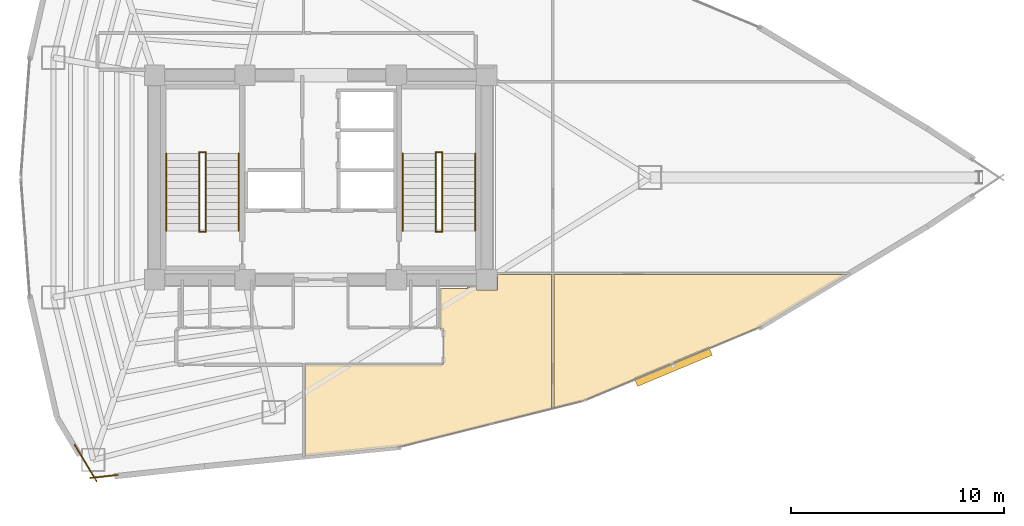
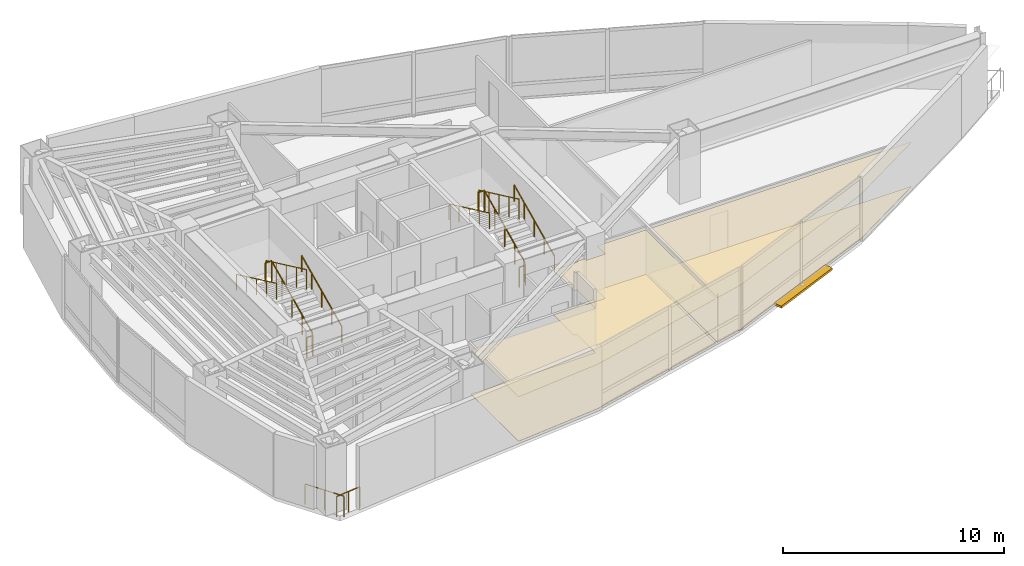
# One storey, part 16 of 17: 14 railings, 4 coverings, 1 shading device.
"""IFC4 building model written with IfcOpenShell, lengths in metres."""

from ifc_helpers import new_model, si_unit, direction, frame, origin, origin_2d, place, context, subcontext, project, spatial, polyline, rectangle, circle, outline, extrude, material, layer, layer_set, type_object, element, save


model = new_model("IFC4")

# Units and contexts
model_context = context("Model", 3, precision=1e-05, world=origin(), true_north=direction((0.0, 1.0)))
body_context = subcontext(model_context, "Body", "Model", "MODEL_VIEW")
ifc_project = project(units=[si_unit("LENGTHUNIT", "METRE"), si_unit("AREAUNIT", "SQUARE_METRE"), si_unit("VOLUMEUNIT", "CUBIC_METRE"), si_unit("PLANEANGLEUNIT", "RADIAN"), si_unit("MASSUNIT", "GRAM", prefix="KILO")], contexts=[model_context])

# Site, building, storey
site_placement = place(None, origin())
site = spatial("IfcSite", under=ifc_project, at=site_placement, CompositionType="ELEMENT")
building_placement = place(site_placement, origin())
building = spatial("IfcBuilding", under=site, at=building_placement, Name="Menara Vayukalpa", CompositionType="ELEMENT")
storey_placement = place(building_placement, frame((0.0, 0.0, 154.320068359375)))
storey = spatial("IfcBuildingStorey", under=building, at=storey_placement, Name="L38", CompositionType="ELEMENT", Elevation=154.320068359375)

# Coverings
ifc_material_1 = material(Name="Mineral Fibre Acoustic Ceiling Tile", Category="masonry")
ifc_layer_1 = layer(ifc_material_1, 0.02490234375)
ifc_layer_set_1 = layer_set([ifc_layer_1], Name="Mineral Fibre Acoustic Ceiling Tile")
covering_type_1 = type_object("IfcCoveringType", Name="COV-CLG1", PredefinedType="CEILING", material=ifc_layer_set_1)
covering_1_placement = place(storey_placement, frame((0.0, 0.0, 2.449951171875)))
element("IfcCovering", 1, at=covering_1_placement, inside=storey, type_object=covering_type_1, Name="L38 Departmental Archive Room Acoustic Ceiling", PredefinedType="CEILING", context=body_context, shape_type="SweptSolid", body=[
    extrude(outline(polyline([(24.87109375, 8.915771484375), (24.8701171875, 8.915771484375), (24.868896484375, 8.915771484375), (24.8681640625, 8.916015625), (24.8671875, 8.916259765625), (24.8662109375, 8.91650390625), (24.865234375, 8.9169921875), (24.864501953125, 8.91748046875), (24.86376953125, 8.918212890625), (24.86279296875, 8.918701171875), (24.8623046875, 8.91943359375), (24.86181640625, 8.920166015625), (24.861083984375, 8.921142578125), (24.86083984375, 8.922119140625), (24.8603515625, 8.9228515625), (24.860107421875, 8.923828125), (24.860107421875, 8.9248046875), (24.860107421875, 8.92578125), (24.860107421875, 13.2099609375), (24.860107421875, 13.2109375), (24.860107421875, 13.2119140625), (24.8603515625, 13.212890625), (24.86083984375, 13.2138671875), (24.861083984375, 13.214599609375), (24.86181640625, 13.215576171875), (24.8623046875, 13.21630859375), (24.86279296875, 13.217041015625), (24.86376953125, 13.2177734375), (24.864501953125, 13.21826171875), (24.865234375, 13.21875), (24.8662109375, 13.21923828125), (24.8671875, 13.219482421875), (24.867919921875, 13.2197265625), (24.868896484375, 13.219970703125), (24.8701171875, 13.219970703125), (31.2998046875, 13.219970703125), (31.306884765625, 13.220458984375), (31.313720703125, 13.22119140625), (31.3203125, 13.222900390625), (31.326904296875, 13.225341796875), (31.3330078125, 13.228271484375), (31.3388671875, 13.231689453125), (31.344482421875, 13.236083984375), (31.349609375, 13.240478515625), (31.35400390625, 13.24560546875), (31.358154296875, 13.251220703125), (31.36181640625, 13.257080078125), (31.36474609375, 13.26318359375), (31.366943359375, 13.269775390625), (31.36865234375, 13.2763671875), (31.36962890625, 13.283203125), (31.3701171875, 13.290283203125), (31.3701171875, 14.849609375), (31.36962890625, 14.856689453125), (31.36865234375, 14.86376953125), (31.366943359375, 14.870361328125), (31.36474609375, 14.876708984375), (31.36181640625, 14.883056640625), (31.358154296875, 14.888916015625), (31.35400390625, 14.89453125), (31.349609375, 14.8994140625), (31.344482421875, 14.904052734375), (31.3388671875, 14.908203125), (31.3330078125, 14.911865234375), (31.326904296875, 14.914794921875), (31.3203125, 14.9169921875), (31.313720703125, 14.918701171875), (31.306884765625, 14.919677734375), (31.2998046875, 14.919921875), (31.219970703125, 14.919921875), (31.218994140625, 14.919921875), (31.218017578125, 14.920166015625), (31.217041015625, 14.92041015625), (31.21630859375, 14.9208984375), (31.21533203125, 14.921142578125), (31.21435546875, 14.921630859375), (31.213623046875, 14.92236328125), (31.212890625, 14.9228515625), (31.21240234375, 14.923583984375), (31.211669921875, 14.92431640625), (31.211181640625, 14.92529296875), (31.210693359375, 14.92626953125), (31.21044921875, 14.927001953125), (31.210205078125, 14.927978515625), (31.2099609375, 14.928955078125), (31.2099609375, 14.929931640625), (31.2099609375, 16.780029296875), (31.2099609375, 16.781005859375), (31.210205078125, 16.781982421875), (31.21044921875, 16.782958984375), (31.210693359375, 16.78369140625), (31.211181640625, 16.78466796875), (31.211669921875, 16.78564453125), (31.21240234375, 16.786376953125), (31.212890625, 16.787109375), (31.213623046875, 16.78759765625), (31.21435546875, 16.788330078125), (31.21533203125, 16.788818359375), (31.21630859375, 16.789306640625), (31.217041015625, 16.78955078125), (31.218017578125, 16.789794921875), (31.218994140625, 16.7900390625), (31.219970703125, 16.7900390625), (32.489990234375, 16.7900390625), (32.489990234375, 16.85009765625), (32.909912109375, 16.85009765625), (32.909912109375, 16.7099609375), (33.889892578125, 16.7099609375), (33.889892578125, 17.43994140625), (36.429931640625, 17.43994140625), (36.430908203125, 17.43994140625), (36.431884765625, 17.439697265625), (36.432861328125, 17.439697265625), (36.433837890625, 17.439208984375), (36.434814453125, 17.438720703125), (36.435546875, 17.438232421875), (36.436279296875, 17.437744140625), (36.43701171875, 17.43701171875), (36.437744140625, 17.436279296875), (36.438232421875, 17.435546875), (36.438720703125, 17.434814453125), (36.439208984375, 17.433837890625), (36.439697265625, 17.432861328125), (36.439697265625, 17.431884765625), (36.43994140625, 17.430908203125), (36.43994140625, 17.429931640625), (36.43994140625, 11.1591796875), (36.43994140625, 11.158203125), (36.439697265625, 11.156982421875), (36.439453125, 11.156005859375), (36.439208984375, 11.155029296875), (36.438720703125, 11.154296875), (36.438232421875, 11.1533203125), (36.4375, 11.152587890625), (36.43701171875, 11.15185546875), (36.43603515625, 11.151123046875), (36.435302734375, 11.150634765625), (36.434326171875, 11.150146484375), (36.433349609375, 11.149658203125), (36.432373046875, 11.1494140625), (29.2646484375, 9.35302734375), (29.26318359375, 9.352783203125), (24.87109375, 8.915771484375)])), origin(), (0.0, 0.0, 1.0), 0.02490234375),
])
covering_2_placement = place(storey_placement, frame((0.0, 0.0, 2.449951171875)))
element("IfcCovering", 2, at=covering_2_placement, inside=storey, type_object=covering_type_1, Name="L38 Departmental Archive Room Acoustic Ceiling", PredefinedType="CEILING", context=body_context, shape_type="SweptSolid", body=[
    extrude(outline(polyline([(37.95849609375, 11.531982421875), (37.957763671875, 11.53173828125), (36.572509765625, 11.1845703125), (36.571533203125, 11.184326171875), (36.570556640625, 11.18408203125), (36.569580078125, 11.18408203125), (36.568603515625, 11.184326171875), (36.567626953125, 11.1845703125), (36.56689453125, 11.184814453125), (36.56591796875, 11.18505859375), (36.56494140625, 11.185546875), (36.564208984375, 11.18603515625), (36.5634765625, 11.1865234375), (36.562744140625, 11.187255859375), (36.562255859375, 11.18798828125), (36.5615234375, 11.188720703125), (36.56103515625, 11.189697265625), (36.560791015625, 11.1904296875), (36.560302734375, 11.19140625), (36.560302734375, 11.1923828125), (36.56005859375, 11.193115234375), (36.56005859375, 11.194091796875), (36.56005859375, 17.429931640625), (36.56005859375, 17.430908203125), (36.560302734375, 17.431884765625), (36.560302734375, 17.432861328125), (36.560791015625, 17.433837890625), (36.561279296875, 17.434814453125), (36.561767578125, 17.435546875), (36.562255859375, 17.436279296875), (36.56298828125, 17.43701171875), (36.563720703125, 17.437744140625), (36.564453125, 17.438232421875), (36.565185546875, 17.438720703125), (36.566162109375, 17.439208984375), (36.567138671875, 17.439697265625), (36.568115234375, 17.439697265625), (36.569091796875, 17.43994140625), (36.570068359375, 17.43994140625), (50.276123046875, 17.43994140625), (50.277099609375, 17.43994140625), (50.2783203125, 17.439697265625), (50.279296875, 17.439697265625), (50.280029296875, 17.439208984375), (50.281005859375, 17.438720703125), (50.28173828125, 17.438232421875), (50.28271484375, 17.4375), (50.283447265625, 17.43701171875), (50.283935546875, 17.436279296875), (50.28466796875, 17.435302734375), (50.28515625, 17.4345703125), (50.285400390625, 17.43359375), (50.285888671875, 17.4326171875), (50.2861328125, 17.431640625), (50.2861328125, 17.4306640625), (50.2861328125, 17.4296875), (50.2861328125, 17.4287109375), (50.285888671875, 17.427734375), (50.28564453125, 17.4267578125), (50.285400390625, 17.42578125), (50.284912109375, 17.425048828125), (50.2841796875, 17.424072265625), (50.28369140625, 17.42333984375), (50.282958984375, 17.422607421875), (50.2822265625, 17.422119140625), (50.281494140625, 17.42138671875), (46.231201171875, 14.98388671875), (46.22998046875, 14.9833984375), (37.959228515625, 11.5322265625), (37.95849609375, 11.531982421875)])), origin(), (0.0, 0.0, 1.0), 0.02490234375),
])
ifc_material_2 = material(Name="Porcelain Stoneware Floor Tile", Category="masonry")
ifc_layer_2 = layer(ifc_material_2, 0.02001953125)
ifc_layer_set_2 = layer_set([ifc_layer_2], Name="Porcelain Stoneware Floor Tile")
covering_type_2 = type_object("IfcCoveringType", Name="COV-FLR1", PredefinedType="FLOORING", material=ifc_layer_set_2)
covering_3_placement = place(storey_placement, origin())
element("IfcCovering", 3, at=covering_3_placement, inside=storey, type_object=covering_type_2, Name="L38 Departmental Archive Room Porcelain Flooring", PredefinedType="FLOORING", context=body_context, shape_type="SweptSolid", body=[
    extrude(outline(polyline([(24.87109375, 8.915771484375), (24.8701171875, 8.915771484375), (24.868896484375, 8.915771484375), (24.8681640625, 8.916015625), (24.8671875, 8.916259765625), (24.8662109375, 8.91650390625), (24.865234375, 8.9169921875), (24.864501953125, 8.91748046875), (24.86376953125, 8.918212890625), (24.86279296875, 8.918701171875), (24.8623046875, 8.91943359375), (24.86181640625, 8.920166015625), (24.861083984375, 8.921142578125), (24.86083984375, 8.922119140625), (24.8603515625, 8.9228515625), (24.860107421875, 8.923828125), (24.860107421875, 8.9248046875), (24.860107421875, 8.92578125), (24.860107421875, 13.2099609375), (24.860107421875, 13.2109375), (24.860107421875, 13.2119140625), (24.8603515625, 13.212890625), (24.86083984375, 13.2138671875), (24.861083984375, 13.214599609375), (24.86181640625, 13.215576171875), (24.8623046875, 13.21630859375), (24.86279296875, 13.217041015625), (24.86376953125, 13.2177734375), (24.864501953125, 13.21826171875), (24.865234375, 13.21875), (24.8662109375, 13.21923828125), (24.8671875, 13.219482421875), (24.867919921875, 13.2197265625), (24.868896484375, 13.219970703125), (24.8701171875, 13.219970703125), (31.2998046875, 13.219970703125), (31.306884765625, 13.220458984375), (31.313720703125, 13.22119140625), (31.3203125, 13.222900390625), (31.326904296875, 13.225341796875), (31.3330078125, 13.228271484375), (31.3388671875, 13.231689453125), (31.344482421875, 13.236083984375), (31.349609375, 13.240478515625), (31.35400390625, 13.24560546875), (31.358154296875, 13.251220703125), (31.36181640625, 13.257080078125), (31.36474609375, 13.26318359375), (31.366943359375, 13.269775390625), (31.36865234375, 13.2763671875), (31.36962890625, 13.283203125), (31.3701171875, 13.290283203125), (31.3701171875, 14.849609375), (31.36962890625, 14.856689453125), (31.36865234375, 14.86376953125), (31.366943359375, 14.870361328125), (31.36474609375, 14.876708984375), (31.36181640625, 14.883056640625), (31.358154296875, 14.888916015625), (31.35400390625, 14.89453125), (31.349609375, 14.8994140625), (31.344482421875, 14.904052734375), (31.3388671875, 14.908203125), (31.3330078125, 14.911865234375), (31.326904296875, 14.914794921875), (31.3203125, 14.9169921875), (31.313720703125, 14.918701171875), (31.306884765625, 14.919677734375), (31.2998046875, 14.919921875), (31.219970703125, 14.919921875), (31.218994140625, 14.919921875), (31.218017578125, 14.920166015625), (31.217041015625, 14.92041015625), (31.21630859375, 14.9208984375), (31.21533203125, 14.921142578125), (31.21435546875, 14.921630859375), (31.213623046875, 14.92236328125), (31.212890625, 14.9228515625), (31.21240234375, 14.923583984375), (31.211669921875, 14.92431640625), (31.211181640625, 14.92529296875), (31.210693359375, 14.92626953125), (31.21044921875, 14.927001953125), (31.210205078125, 14.927978515625), (31.2099609375, 14.928955078125), (31.2099609375, 14.929931640625), (31.2099609375, 16.780029296875), (31.2099609375, 16.781005859375), (31.210205078125, 16.781982421875), (31.21044921875, 16.782958984375), (31.210693359375, 16.78369140625), (31.211181640625, 16.78466796875), (31.211669921875, 16.78564453125), (31.21240234375, 16.786376953125), (31.212890625, 16.787109375), (31.213623046875, 16.78759765625), (31.21435546875, 16.788330078125), (31.21533203125, 16.788818359375), (31.21630859375, 16.789306640625), (31.217041015625, 16.78955078125), (31.218017578125, 16.789794921875), (31.218994140625, 16.7900390625), (31.219970703125, 16.7900390625), (32.489990234375, 16.7900390625), (32.489990234375, 16.85009765625), (32.909912109375, 16.85009765625), (32.909912109375, 16.7099609375), (33.889892578125, 16.7099609375), (33.889892578125, 17.43994140625), (36.429931640625, 17.43994140625), (36.430908203125, 17.43994140625), (36.431884765625, 17.439697265625), (36.432861328125, 17.439697265625), (36.433837890625, 17.439208984375), (36.434814453125, 17.438720703125), (36.435546875, 17.438232421875), (36.436279296875, 17.437744140625), (36.43701171875, 17.43701171875), (36.437744140625, 17.436279296875), (36.438232421875, 17.435546875), (36.438720703125, 17.434814453125), (36.439208984375, 17.433837890625), (36.439697265625, 17.432861328125), (36.439697265625, 17.431884765625), (36.43994140625, 17.430908203125), (36.43994140625, 17.429931640625), (36.43994140625, 11.1591796875), (36.43994140625, 11.158203125), (36.439697265625, 11.156982421875), (36.439453125, 11.156005859375), (36.439208984375, 11.155029296875), (36.438720703125, 11.154296875), (36.438232421875, 11.1533203125), (36.4375, 11.152587890625), (36.43701171875, 11.15185546875), (36.43603515625, 11.151123046875), (36.435302734375, 11.150634765625), (36.434326171875, 11.150146484375), (36.433349609375, 11.149658203125), (36.432373046875, 11.1494140625), (29.2646484375, 9.35302734375), (29.26318359375, 9.352783203125), (24.87109375, 8.915771484375)])), origin(), (0.0, 0.0, 1.0), 0.02001953125),
])
covering_4_placement = place(storey_placement, origin())
element("IfcCovering", 4, at=covering_4_placement, inside=storey, type_object=covering_type_2, Name="L38 Departmental Archive Room Porcelain Flooring", PredefinedType="FLOORING", context=body_context, shape_type="SweptSolid", body=[
    extrude(outline(polyline([(37.95849609375, 11.531982421875), (37.957763671875, 11.53173828125), (36.572509765625, 11.1845703125), (36.571533203125, 11.184326171875), (36.570556640625, 11.18408203125), (36.569580078125, 11.18408203125), (36.568603515625, 11.184326171875), (36.567626953125, 11.1845703125), (36.56689453125, 11.184814453125), (36.56591796875, 11.18505859375), (36.56494140625, 11.185546875), (36.564208984375, 11.18603515625), (36.5634765625, 11.1865234375), (36.562744140625, 11.187255859375), (36.562255859375, 11.18798828125), (36.5615234375, 11.188720703125), (36.56103515625, 11.189697265625), (36.560791015625, 11.1904296875), (36.560302734375, 11.19140625), (36.560302734375, 11.1923828125), (36.56005859375, 11.193115234375), (36.56005859375, 11.194091796875), (36.56005859375, 17.429931640625), (36.56005859375, 17.430908203125), (36.560302734375, 17.431884765625), (36.560302734375, 17.432861328125), (36.560791015625, 17.433837890625), (36.561279296875, 17.434814453125), (36.561767578125, 17.435546875), (36.562255859375, 17.436279296875), (36.56298828125, 17.43701171875), (36.563720703125, 17.437744140625), (36.564453125, 17.438232421875), (36.565185546875, 17.438720703125), (36.566162109375, 17.439208984375), (36.567138671875, 17.439697265625), (36.568115234375, 17.439697265625), (36.569091796875, 17.43994140625), (36.570068359375, 17.43994140625), (50.276123046875, 17.43994140625), (50.277099609375, 17.43994140625), (50.2783203125, 17.439697265625), (50.279296875, 17.439697265625), (50.280029296875, 17.439208984375), (50.281005859375, 17.438720703125), (50.28173828125, 17.438232421875), (50.28271484375, 17.4375), (50.283447265625, 17.43701171875), (50.283935546875, 17.436279296875), (50.28466796875, 17.435302734375), (50.28515625, 17.4345703125), (50.285400390625, 17.43359375), (50.285888671875, 17.4326171875), (50.2861328125, 17.431640625), (50.2861328125, 17.4306640625), (50.2861328125, 17.4296875), (50.2861328125, 17.4287109375), (50.285888671875, 17.427734375), (50.28564453125, 17.4267578125), (50.285400390625, 17.42578125), (50.284912109375, 17.425048828125), (50.2841796875, 17.424072265625), (50.28369140625, 17.42333984375), (50.282958984375, 17.422607421875), (50.2822265625, 17.422119140625), (50.281494140625, 17.42138671875), (46.231201171875, 14.98388671875), (46.22998046875, 14.9833984375), (37.959228515625, 11.5322265625), (37.95849609375, 11.531982421875)])), origin(), (0.0, 0.0, 1.0), 0.02001953125),
])

# Railings
ifc_material_3 = material(Name="Laminated Glass and Stainless Steel 316 Guardrail", Category="steel")
railing_type_1 = type_object("IfcRailingType", Name="RLG-EXT115", PredefinedType="GUARDRAIL", material=ifc_material_3)
railing_1_placement = place(storey_placement, frame((14.04345703125, 9.460205078125, 0.0)))
element("IfcRailing", 5, at=railing_1_placement, inside=storey, type_object=railing_type_1, Name="L38 Column Corner Spandrel Guardrail 13-1", PredefinedType="GUARDRAIL", context=body_context, shape_type="SweptSolid", body=[
    extrude(circle(Radius=0.02392578125, at=origin_2d()), frame((0.0, 0.0, 1.1259765625), z_axis=(0.516238473258, -0.856444883649, 0.0), x_axis=(0.856444883649, 0.516238473258, 0.0)), (0.0, 0.0, 1.0), 1.9970703125),
    extrude(circle(Radius=0.02099609375, at=origin_2d()), origin(), (0.0, 0.0, 1.0), 1.101806640625),
    extrude(circle(Radius=0.02099609375, at=origin_2d()), frame((0.515625, -0.855224609375, 0.0)), (0.0, 0.0, 1.0), 1.101806640625),
    extrude(circle(Radius=0.02099609375, at=origin_2d()), frame((1.031005859375, -1.71044921875, 0.0)), (0.0, 0.0, 1.0), 1.101806640625),
])
railing_2_placement = place(storey_placement, frame((14.784423828125, 7.89306640625, 0.0)))
element("IfcRailing", 6, at=railing_2_placement, inside=storey, type_object=railing_type_1, Name="L38 Column Corner Spandrel Guardrail 14-1", PredefinedType="GUARDRAIL", context=body_context, shape_type="SweptSolid", body=[
    extrude(circle(Radius=0.02392578125, at=origin_2d()), frame((0.0, 0.0, 1.1259765625), z_axis=(0.99393179446, 0.109998127083, 0.0), x_axis=(-0.109998127083, 0.99393179446, 0.0)), (0.0, 0.0, 1.0), 1.29833984375),
    extrude(circle(Radius=0.02099609375, at=origin_2d()), origin(), (0.0, 0.0, 1.0), 1.101806640625),
    extrude(circle(Radius=0.02099609375, at=origin_2d()), frame((0.645263671875, 0.0712890625, 0.0)), (0.0, 0.0, 1.0), 1.101806640625),
    extrude(circle(Radius=0.02099609375, at=origin_2d()), frame((1.29052734375, 0.142822265625, 0.0)), (0.0, 0.0, 1.0), 1.101806640625),
])
ifc_material_4 = material(Name="Powder-Coated Galvanised Steel Guardrail", Category="steel")
railing_type_2 = type_object("IfcRailingType", Name="RLG-STG110", PredefinedType="GUARDRAIL", material=ifc_material_4)
railing_3_placement = place(storey_placement, frame((20.199951171875, 19.5, 0.155029296875)))
element("IfcRailing", 7, at=railing_3_placement, inside=storey, type_object=railing_type_2, Name="L38 ST-1 stair guard 1", PredefinedType="GUARDRAIL", context=body_context, shape_type="SweptSolid", body=[
    extrude(circle(Radius=0.02392578125, at=origin_2d()), frame((0.0, 0.0, 1.09619140625), z_axis=(0.0, 0.90513990983, 0.425113800803), x_axis=(-1.0, 0.0, 0.0)), (0.0, 0.0, 1.0), 4.01025390625),
    extrude(circle(Radius=0.02099609375, at=origin_2d()), origin(), (0.0, 0.0, 1.0), 1.072021484375),
    extrude(circle(Radius=0.02099609375, at=origin_2d()), frame((0.0, 0.907470703125, 0.42626953125)), (0.0, 0.0, 1.0), 1.072021484375),
    extrude(circle(Radius=0.02099609375, at=origin_2d()), frame((0.0, 1.81494140625, 0.8525390625)), (0.0, 0.0, 1.0), 1.072021484375),
    extrude(circle(Radius=0.02099609375, at=origin_2d()), frame((0.0, 2.722412109375, 1.278564453125)), (0.0, 0.0, 1.0), 1.072021484375),
    extrude(circle(Radius=0.02099609375, at=origin_2d()), frame((0.0, 3.6298828125, 1.704833984375)), (0.0, 0.0, 1.0), 1.072021484375),
])
railing_4_placement = place(storey_placement, frame((20.2099609375, 23.179931640625, 1.85986328125)))
element("IfcRailing", 8, at=railing_4_placement, inside=storey, type_object=railing_type_2, Name="L38 ST-1 stair guard 2", PredefinedType="GUARDRAIL", context=body_context, shape_type="SweptSolid", body=[
    extrude(circle(Radius=0.02392578125, at=origin_2d()), frame((0.0, 0.0, 1.09619140625), z_axis=(-1.0, 0.0, 0.0), x_axis=(0.0, -1.0, 0.0)), (0.0, 0.0, 1.0), 0.320068359375),
    extrude(circle(Radius=0.02099609375, at=origin_2d()), origin(), (0.0, 0.0, 1.0), 1.072021484375),
    extrude(circle(Radius=0.02099609375, at=origin_2d()), frame((-0.320068359375, 0.0, 0.0)), (0.0, 0.0, 1.0), 1.072021484375),
])
railing_5_placement = place(storey_placement, frame((19.89990234375, 23.1298828125, 2.014892578125)))
element("IfcRailing", 9, at=railing_5_placement, inside=storey, type_object=railing_type_2, Name="L38 ST-1 stair guard 3", PredefinedType="GUARDRAIL", context=body_context, shape_type="SweptSolid", body=[
    extrude(circle(Radius=0.02392578125, at=origin_2d()), frame((0.0, 0.0, 1.09619140625), z_axis=(0.0, -0.90511648382, 0.425163675209), x_axis=(1.0, 0.0, 0.0)), (0.0, 0.0, 1.0), 4.010498046875),
    extrude(circle(Radius=0.02099609375, at=origin_2d()), origin(), (0.0, 0.0, 1.0), 1.072021484375),
    extrude(circle(Radius=0.02099609375, at=origin_2d()), frame((0.0, -0.907470703125, 0.42626953125)), (0.0, 0.0, 1.0), 1.072021484375),
    extrude(circle(Radius=0.02099609375, at=origin_2d()), frame((0.0, -1.81494140625, 0.8525390625)), (0.0, 0.0, 1.0), 1.072021484375),
    extrude(circle(Radius=0.02099609375, at=origin_2d()), frame((0.0, -2.722412109375, 1.27880859375)), (0.0, 0.0, 1.0), 1.072021484375),
    extrude(circle(Radius=0.02099609375, at=origin_2d()), frame((0.0, -3.6298828125, 1.705078125)), (0.0, 0.0, 1.0), 1.072021484375),
])
railing_6_placement = place(storey_placement, frame((20.2099609375, 19.449951171875, 0.0)))
element("IfcRailing", 10, at=railing_6_placement, inside=storey, type_object=railing_type_2, Name="L38 ST-1 stair guard 4", PredefinedType="GUARDRAIL", context=body_context, shape_type="SweptSolid", body=[
    extrude(circle(Radius=0.02392578125, at=origin_2d()), frame((0.0, 0.0, 1.09619140625), z_axis=(-1.0, 0.0, 0.0), x_axis=(0.0, -1.0, 0.0)), (0.0, 0.0, 1.0), 0.320068359375),
    extrude(circle(Radius=0.02099609375, at=origin_2d()), origin(), (0.0, 0.0, 1.0), 1.072021484375),
    extrude(circle(Radius=0.02099609375, at=origin_2d()), frame((-0.320068359375, 0.0, 0.0)), (0.0, 0.0, 1.0), 1.072021484375),
])
railing_7_placement = place(storey_placement, frame((31.300048828125, 19.5, 0.155029296875)))
element("IfcRailing", 11, at=railing_7_placement, inside=storey, type_object=railing_type_2, Name="L38 ST-2 stair guard 1", PredefinedType="GUARDRAIL", context=body_context, shape_type="SweptSolid", body=[
    extrude(circle(Radius=0.02392578125, at=origin_2d()), frame((0.0, 0.0, 1.09619140625), z_axis=(0.0, 0.90513990983, 0.425113800803), x_axis=(-1.0, 0.0, 0.0)), (0.0, 0.0, 1.0), 4.01025390625),
    extrude(circle(Radius=0.02099609375, at=origin_2d()), origin(), (0.0, 0.0, 1.0), 1.072021484375),
    extrude(circle(Radius=0.02099609375, at=origin_2d()), frame((0.0, 0.907470703125, 0.42626953125)), (0.0, 0.0, 1.0), 1.072021484375),
    extrude(circle(Radius=0.02099609375, at=origin_2d()), frame((0.0, 1.81494140625, 0.8525390625)), (0.0, 0.0, 1.0), 1.072021484375),
    extrude(circle(Radius=0.02099609375, at=origin_2d()), frame((0.0, 2.722412109375, 1.278564453125)), (0.0, 0.0, 1.0), 1.072021484375),
    extrude(circle(Radius=0.02099609375, at=origin_2d()), frame((0.0, 3.6298828125, 1.704833984375)), (0.0, 0.0, 1.0), 1.072021484375),
])
railing_8_placement = place(storey_placement, frame((31.31005859375, 23.179931640625, 1.85986328125)))
element("IfcRailing", 12, at=railing_8_placement, inside=storey, type_object=railing_type_2, Name="L38 ST-2 stair guard 2", PredefinedType="GUARDRAIL", context=body_context, shape_type="SweptSolid", body=[
    extrude(circle(Radius=0.02392578125, at=origin_2d()), frame((0.0, 0.0, 1.09619140625), z_axis=(-1.0, 0.0, 0.0), x_axis=(0.0, -1.0, 0.0)), (0.0, 0.0, 1.0), 0.320068359375),
    extrude(circle(Radius=0.02099609375, at=origin_2d()), origin(), (0.0, 0.0, 1.0), 1.072021484375),
    extrude(circle(Radius=0.02099609375, at=origin_2d()), frame((-0.320068359375, 0.0, 0.0)), (0.0, 0.0, 1.0), 1.072021484375),
])
railing_9_placement = place(storey_placement, frame((31.0, 23.1298828125, 2.014892578125)))
element("IfcRailing", 13, at=railing_9_placement, inside=storey, type_object=railing_type_2, Name="L38 ST-2 stair guard 3", PredefinedType="GUARDRAIL", context=body_context, shape_type="SweptSolid", body=[
    extrude(circle(Radius=0.02392578125, at=origin_2d()), frame((0.0, 0.0, 1.09619140625), z_axis=(0.0, -0.90511648382, 0.425163675209), x_axis=(1.0, 0.0, 0.0)), (0.0, 0.0, 1.0), 4.010498046875),
    extrude(circle(Radius=0.02099609375, at=origin_2d()), origin(), (0.0, 0.0, 1.0), 1.072021484375),
    extrude(circle(Radius=0.02099609375, at=origin_2d()), frame((0.0, -0.907470703125, 0.42626953125)), (0.0, 0.0, 1.0), 1.072021484375),
    extrude(circle(Radius=0.02099609375, at=origin_2d()), frame((0.0, -1.81494140625, 0.8525390625)), (0.0, 0.0, 1.0), 1.072021484375),
    extrude(circle(Radius=0.02099609375, at=origin_2d()), frame((0.0, -2.722412109375, 1.27880859375)), (0.0, 0.0, 1.0), 1.072021484375),
    extrude(circle(Radius=0.02099609375, at=origin_2d()), frame((0.0, -3.6298828125, 1.705078125)), (0.0, 0.0, 1.0), 1.072021484375),
])
railing_10_placement = place(storey_placement, frame((31.31005859375, 19.449951171875, 0.0)))
element("IfcRailing", 14, at=railing_10_placement, inside=storey, type_object=railing_type_2, Name="L38 ST-2 stair guard 4", PredefinedType="GUARDRAIL", context=body_context, shape_type="SweptSolid", body=[
    extrude(circle(Radius=0.02392578125, at=origin_2d()), frame((0.0, 0.0, 1.09619140625), z_axis=(-1.0, 0.0, 0.0), x_axis=(0.0, -1.0, 0.0)), (0.0, 0.0, 1.0), 0.320068359375),
    extrude(circle(Radius=0.02099609375, at=origin_2d()), origin(), (0.0, 0.0, 1.0), 1.072021484375),
    extrude(circle(Radius=0.02099609375, at=origin_2d()), frame((-0.320068359375, 0.0, 0.0)), (0.0, 0.0, 1.0), 1.072021484375),
])
ifc_material_5 = material(Name="Stainless Steel 316 Tubular Handrail", Category="steel")
railing_type_3 = type_object("IfcRailingType", Name="RLG-STH090", PredefinedType="HANDRAIL", material=ifc_material_5)
railing_11_placement = place(storey_placement, frame((21.75, 19.5, 0.155029296875)))
element("IfcRailing", 15, at=railing_11_placement, inside=storey, type_object=railing_type_3, Name="L38 ST-1 stair handrail 1", PredefinedType="HANDRAIL", context=body_context, shape_type="SweptSolid", body=[
    extrude(circle(Radius=0.02392578125, at=origin_2d()), frame((0.0, 0.0, 0.8759765625), z_axis=(0.0, 0.90513990983, 0.425113800803), x_axis=(-1.0, 0.0, 0.0)), (0.0, 0.0, 1.0), 4.01025390625),
    extrude(circle(Radius=0.02099609375, at=origin_2d()), origin(), (0.0, 0.0, 1.0), 0.851806640625),
    extrude(circle(Radius=0.02099609375, at=origin_2d()), frame((0.0, 0.907470703125, 0.42626953125)), (0.0, 0.0, 1.0), 0.851806640625),
    extrude(circle(Radius=0.02099609375, at=origin_2d()), frame((0.0, 1.81494140625, 0.8525390625)), (0.0, 0.0, 1.0), 0.851806640625),
    extrude(circle(Radius=0.02099609375, at=origin_2d()), frame((0.0, 2.722412109375, 1.278564453125)), (0.0, 0.0, 1.0), 0.851806640625),
    extrude(circle(Radius=0.02099609375, at=origin_2d()), frame((0.0, 3.6298828125, 1.704833984375)), (0.0, 0.0, 1.0), 0.851806640625),
])
railing_12_placement = place(storey_placement, frame((18.35009765625, 23.1298828125, 2.014892578125)))
element("IfcRailing", 16, at=railing_12_placement, inside=storey, type_object=railing_type_3, Name="L38 ST-1 stair handrail 2", PredefinedType="HANDRAIL", context=body_context, shape_type="SweptSolid", body=[
    extrude(circle(Radius=0.02392578125, at=origin_2d()), frame((0.0, 0.0, 0.8759765625), z_axis=(0.0, -0.90511648382, 0.425163675209), x_axis=(1.0, 0.0, 0.0)), (0.0, 0.0, 1.0), 4.010498046875),
    extrude(circle(Radius=0.02099609375, at=origin_2d()), origin(), (0.0, 0.0, 1.0), 0.851806640625),
    extrude(circle(Radius=0.02099609375, at=origin_2d()), frame((0.0, -0.907470703125, 0.42626953125)), (0.0, 0.0, 1.0), 0.851806640625),
    extrude(circle(Radius=0.02099609375, at=origin_2d()), frame((0.0, -1.81494140625, 0.8525390625)), (0.0, 0.0, 1.0), 0.851806640625),
    extrude(circle(Radius=0.02099609375, at=origin_2d()), frame((0.0, -2.722412109375, 1.27880859375)), (0.0, 0.0, 1.0), 0.851806640625),
    extrude(circle(Radius=0.02099609375, at=origin_2d()), frame((0.0, -3.6298828125, 1.705078125)), (0.0, 0.0, 1.0), 0.851806640625),
])
railing_13_placement = place(storey_placement, frame((32.85009765625, 19.5, 0.155029296875)))
element("IfcRailing", 17, at=railing_13_placement, inside=storey, type_object=railing_type_3, Name="L38 ST-2 stair handrail 1", PredefinedType="HANDRAIL", context=body_context, shape_type="SweptSolid", body=[
    extrude(circle(Radius=0.02392578125, at=origin_2d()), frame((0.0, 0.0, 0.8759765625), z_axis=(0.0, 0.90513990983, 0.425113800803), x_axis=(-1.0, 0.0, 0.0)), (0.0, 0.0, 1.0), 4.01025390625),
    extrude(circle(Radius=0.02099609375, at=origin_2d()), origin(), (0.0, 0.0, 1.0), 0.851806640625),
    extrude(circle(Radius=0.02099609375, at=origin_2d()), frame((0.0, 0.907470703125, 0.42626953125)), (0.0, 0.0, 1.0), 0.851806640625),
    extrude(circle(Radius=0.02099609375, at=origin_2d()), frame((0.0, 1.81494140625, 0.8525390625)), (0.0, 0.0, 1.0), 0.851806640625),
    extrude(circle(Radius=0.02099609375, at=origin_2d()), frame((0.0, 2.722412109375, 1.278564453125)), (0.0, 0.0, 1.0), 0.851806640625),
    extrude(circle(Radius=0.02099609375, at=origin_2d()), frame((0.0, 3.6298828125, 1.704833984375)), (0.0, 0.0, 1.0), 0.851806640625),
])
railing_14_placement = place(storey_placement, frame((29.449951171875, 23.1298828125, 2.014892578125)))
element("IfcRailing", 18, at=railing_14_placement, inside=storey, type_object=railing_type_3, Name="L38 ST-2 stair handrail 2", PredefinedType="HANDRAIL", context=body_context, shape_type="SweptSolid", body=[
    extrude(circle(Radius=0.02392578125, at=origin_2d()), frame((0.0, 0.0, 0.8759765625), z_axis=(0.0, -0.90511648382, 0.425163675209), x_axis=(1.0, 0.0, 0.0)), (0.0, 0.0, 1.0), 4.010498046875),
    extrude(circle(Radius=0.02099609375, at=origin_2d()), origin(), (0.0, 0.0, 1.0), 0.851806640625),
    extrude(circle(Radius=0.02099609375, at=origin_2d()), frame((0.0, -0.907470703125, 0.42626953125)), (0.0, 0.0, 1.0), 0.851806640625),
    extrude(circle(Radius=0.02099609375, at=origin_2d()), frame((0.0, -1.81494140625, 0.8525390625)), (0.0, 0.0, 1.0), 0.851806640625),
    extrude(circle(Radius=0.02099609375, at=origin_2d()), frame((0.0, -2.722412109375, 1.27880859375)), (0.0, 0.0, 1.0), 0.851806640625),
    extrude(circle(Radius=0.02099609375, at=origin_2d()), frame((0.0, -3.6298828125, 1.705078125)), (0.0, 0.0, 1.0), 0.851806640625),
])

# Shading device
ifc_material_6 = material(Name="Glazed Terracotta Ceramic Baguette Extrusion", Category="masonry")
ifc_layer_3 = layer(ifc_material_6, 0.1201171875)
ifc_layer_set_3 = layer_set([ifc_layer_3], Name="Glazed Terracotta Ceramic Baguette Extrusion")
shading_device_type = type_object("IfcShadingDeviceType", Name="SHD-SS1", PredefinedType="USERDEFINED", material=ifc_layer_set_3)
shading_device_placement = place(storey_placement, frame((42.15234375, 13.119384765625, -0.10009765625), z_axis=(0.0, 0.0, 1.0), x_axis=(0.922881225826, 0.38508472187, 0.0)))
element("IfcShadingDevice", 19, at=shading_device_placement, inside=storey, type_object=shading_device_type, Name="L38 Horizontal Terracotta Sunshade Band 17", ObjectType="SUNSHADE", PredefinedType="USERDEFINED", context=body_context, shape_type="SweptSolid", body=[
    extrude(rectangle(XDim=3.800048828125, YDim=0.419921875, at=origin_2d()), origin(), (0.0, 0.0, 1.0), 0.1201171875),
])

save(model, "model.ifc")
